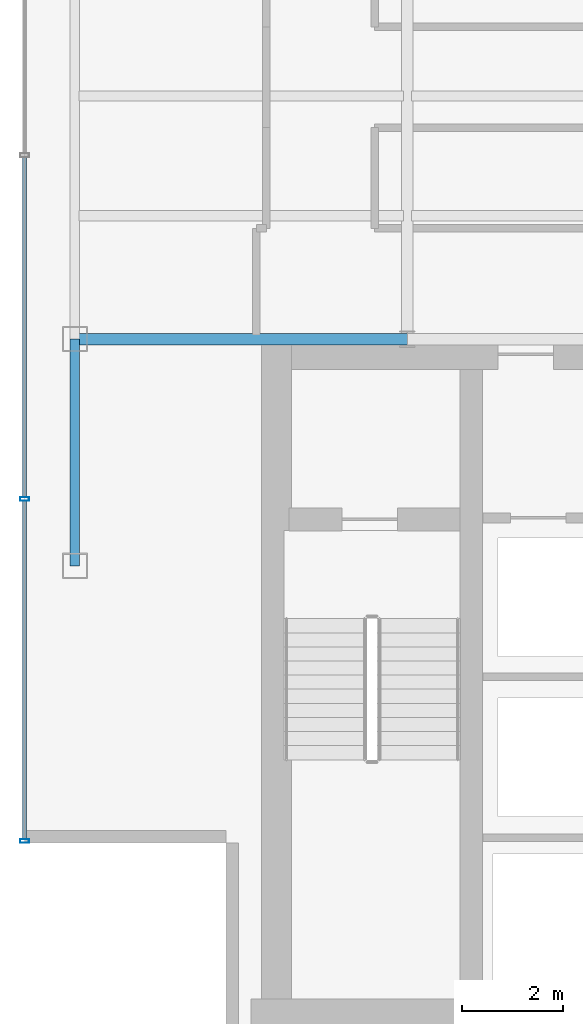
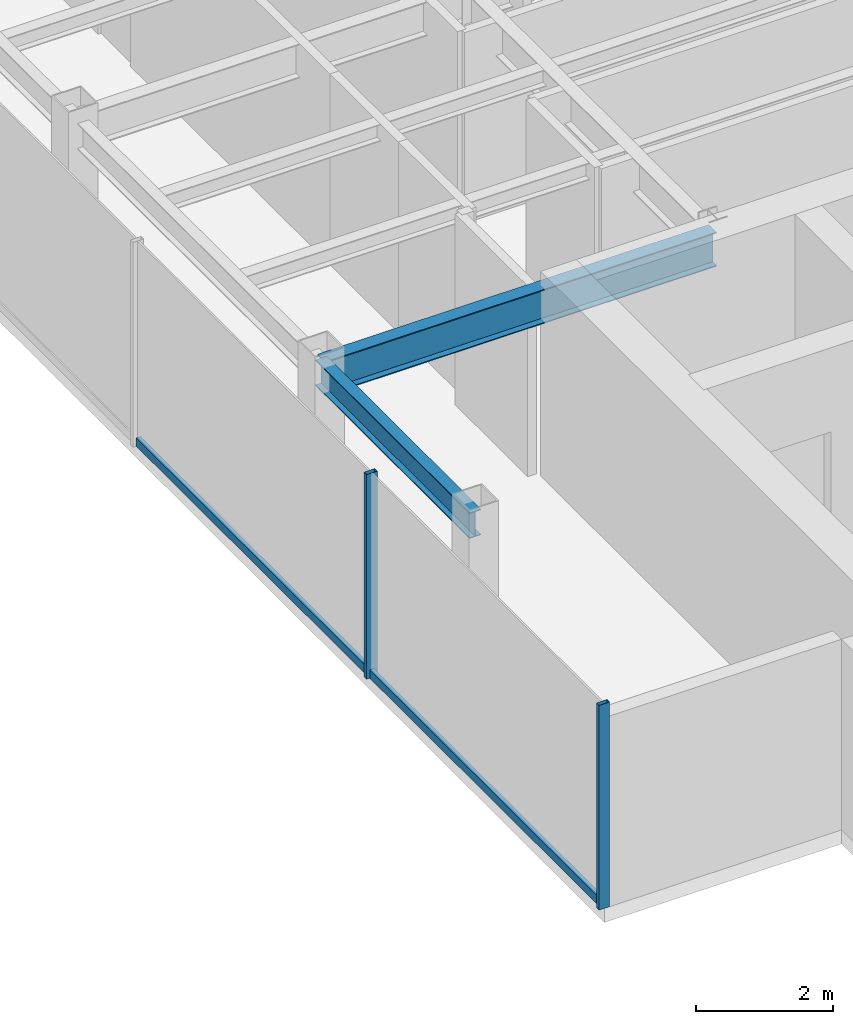
# One storey, part 3 of 22: 4 members, 2 beams, 1 element without a shape of its own.
"""IFC4 building model written with IfcOpenShell, lengths in metres."""

from ifc_helpers import new_model, si_unit, derived_unit, direction, frame, origin, origin_2d, place, context, subcontext, project, spatial, hollow_rectangle, i_section, extrude, source, transform, mapped, material, material_profile, profile_set, type_object, element, aggregate, save


model = new_model("IFC4")

# Units and contexts
model_context = context("Model", 3, precision=1e-05, world=origin(), true_north=direction((0.0, 1.0)))
body_context = subcontext(model_context, "Body", "Model", "MODEL_VIEW")
ifc_project = project(units=[si_unit("LENGTHUNIT", "METRE"), si_unit("AREAUNIT", "SQUARE_METRE"), si_unit("VOLUMEUNIT", "CUBIC_METRE"), si_unit("PLANEANGLEUNIT", "RADIAN"), si_unit("MASSUNIT", "GRAM", prefix="KILO"), derived_unit("THERMALTRANSMITTANCEUNIT", [(si_unit("POWERUNIT", "WATT"), 1), (si_unit("LENGTHUNIT", "METRE"), -2), (si_unit("THERMODYNAMICTEMPERATUREUNIT", "KELVIN"), -1)])], contexts=[model_context])

# Site, building, storey
site_placement = place(None, origin())
site = spatial("IfcSite", under=ifc_project, at=site_placement, CompositionType="ELEMENT")
building_placement = place(site_placement, origin())
building = spatial("IfcBuilding", under=site, at=building_placement, Name="Skarnbrae Concourse Arena and Tower", CompositionType="ELEMENT")
storey_placement = place(building_placement, frame((0.0, 0.0, 284.35009765625)))
storey = spatial("IfcBuildingStorey", under=building, at=storey_placement, Name="L74", CompositionType="ELEMENT", Elevation=284.35009765625)

# Beams
ifc_material_1 = material(Name="Steel CSA G40.21 350W", Category="steel")
ifc_material_profile_1 = material_profile(ifc_material_1, i_section(OverallWidth=0.22802734375, OverallDepth=0.60791015625, WebThickness=0.01123046875, FlangeThickness=0.017333984375, at=origin_2d()), Name="W610X113")
ifc_profile_set_1 = profile_set([ifc_material_profile_1], Name="Steel CSA G40.21 350W")
beam_type_1 = type_object("IfcBeamType", Name="BM-GIRD-W610X113", PredefinedType="BEAM", material=ifc_profile_set_1)
shared_shape_1 = source(origin(), body_context, "Body", "SweptSolid", [
    extrude(i_section(OverallWidth=0.22802734375, OverallDepth=0.60791015625, WebThickness=0.01123046875, FlangeThickness=0.017333984375, at=origin_2d()), origin(), (0.0, 0.0, 1.0), 6.60009765625),
])
beam_1_placement = place(storey_placement, frame((1.0, 14.0, 3.095947265625), z_axis=(1.0, 0.0, 0.0), x_axis=(0.0, 1.0, 0.0)))
element("IfcBeam", 1, at=beam_1_placement, inside=storey, type_object=beam_type_1, Name="L74 Primary E-W girder Y14.0-1", PredefinedType="BEAM", context=body_context, shape_type="MappedRepresentation", body=[
    mapped(shared_shape_1, transform((0.0, 0.0, 0.0))),
])
ifc_material_profile_2 = material_profile(ifc_material_1, i_section(OverallWidth=0.19091796875, OverallDepth=0.4599609375, WebThickness=0.010009765625, FlangeThickness=0.01611328125, at=origin_2d()), Name="W460X82")
ifc_profile_set_2 = profile_set([ifc_material_profile_2], Name="Steel CSA G40.21 350W")
beam_type_2 = type_object("IfcBeamType", Name="BM-SPAN-W460X82", PredefinedType="SPANDREL", material=ifc_profile_set_2)
shared_shape_2 = source(origin(), body_context, "Body", "SweptSolid", [
    extrude(i_section(OverallWidth=0.19091796875, OverallDepth=0.4599609375, WebThickness=0.010009765625, FlangeThickness=0.01611328125, at=origin_2d()), origin(), (0.0, 0.0, 1.0), 4.5),
])
beam_2_placement = place(storey_placement, frame((1.0, 9.5, 3.169921875), z_axis=(0.0, 1.0, 0.0), x_axis=(-1.0, 0.0, 0.0)))
element("IfcBeam", 2, at=beam_2_placement, inside=storey, type_object=beam_type_2, Name="L74 Perimeter spandrel X1.0-1", PredefinedType="SPANDREL", context=body_context, shape_type="MappedRepresentation", body=[
    mapped(shared_shape_2, transform((0.0, 0.0, 0.0))),
])

# Curtain wall, members
ifc_material_2 = material(Name="Bronze anodised aluminium 6063-T6", Category="aluminium")
curtain_wall_type = type_object("IfcCurtainWallType", Name="CW-SYS-05-HIGHZONE", PredefinedType="USERDEFINED", material=ifc_material_2)
curtain_wall_placement = place(storey_placement, origin())
curtain_wall = element("IfcCurtainWall", 3, at=curtain_wall_placement, inside=storey, type_object=curtain_wall_type, Name="L74 Unitised curtain wall CW-L74-E18", ObjectType="UNITISED CURTAIN WALL", PredefinedType="USERDEFINED")
ifc_material_profile_3 = material_profile(ifc_material_2, hollow_rectangle(XDim=0.074951171875, YDim=0.179931640625, WallThickness=0.00390625, at=origin_2d()), Name="ALU-MULL-75X180")
ifc_profile_set_3 = profile_set([ifc_material_profile_3], Name="Bronze anodised aluminium 6063-T6")
member_type_1 = type_object("IfcMemberType", Name="CWM-CW-05", PredefinedType="MULLION", material=ifc_profile_set_3)
shared_shape_3 = source(origin(), body_context, "Body", "SweptSolid", [
    extrude(hollow_rectangle(XDim=0.074951171875, YDim=0.179931640625, WallThickness=0.00390625, at=origin_2d()), origin(), (0.0, 0.0, 1.0), 3.64990234375),
])
member_1_placement = place(storey_placement, frame((0.0, 10.824951171875, 0.0), z_axis=(0.0, 0.0, 1.0), x_axis=(0.0, -1.0, 0.0)))
member_1 = element("IfcMember", 4, at=member_1_placement, type_object=member_type_1, Name="CW-L74-E18 Mullion 4", PredefinedType="MULLION", context=body_context, shape_type="MappedRepresentation", body=[
    mapped(shared_shape_3, transform((0.0, 0.0, 0.0))),
])
member_2_placement = place(storey_placement, frame((0.0, 4.03759765625, 0.0), z_axis=(0.0, 0.0, 1.0), x_axis=(0.0, -1.0, 0.0)))
member_2 = element("IfcMember", 5, at=member_2_placement, type_object=member_type_1, Name="CW-L74-E18 Mullion 5", PredefinedType="MULLION", context=body_context, shape_type="MappedRepresentation", body=[
    mapped(shared_shape_3, transform((0.0, 0.0, 0.0))),
])
ifc_material_profile_4 = material_profile(ifc_material_2, hollow_rectangle(XDim=0.074951171875, YDim=0.14990234375, WallThickness=0.00390625, at=origin_2d()), Name="ALU-TRAN-75X150")
ifc_profile_set_4 = profile_set([ifc_material_profile_4], Name="Bronze anodised aluminium 6063-T6")
member_type_2 = type_object("IfcMemberType", Name="CWT-CW-05", PredefinedType="USERDEFINED", material=ifc_profile_set_4)
shared_shape_4 = source(origin(), body_context, "Body", "SweptSolid", [
    extrude(hollow_rectangle(XDim=0.074951171875, YDim=0.14990234375, WallThickness=0.00390625, at=origin_2d()), origin(), (0.0, 0.0, 1.0), 6.712646484375),
])
member_3_placement = place(storey_placement, frame((0.0, 10.78759765625, 0.074951171875), z_axis=(0.0, -1.0, 0.0), x_axis=(1.0, 0.0, 0.0)))
member_3 = element("IfcMember", 6, at=member_3_placement, type_object=member_type_2, Name="CW-L74-E18 Transom 4", ObjectType="TRANSOM", PredefinedType="USERDEFINED", context=body_context, shape_type="MappedRepresentation", body=[
    mapped(shared_shape_4, transform((0.0, 0.0, 0.0))),
])
shared_shape_5 = source(origin(), body_context, "Body", "SweptSolid", [
    extrude(hollow_rectangle(XDim=0.074951171875, YDim=0.14990234375, WallThickness=0.00390625, at=origin_2d()), origin(), (0.0, 0.0, 1.0), 6.75),
])
member_4_placement = place(storey_placement, frame((0.0, 17.612548828125, 0.074951171875), z_axis=(0.0, -1.0, 0.0), x_axis=(1.0, 0.0, 0.0)))
member_4 = element("IfcMember", 7, at=member_4_placement, type_object=member_type_2, Name="CW-L74-E18 Transom 3", ObjectType="TRANSOM", PredefinedType="USERDEFINED", context=body_context, shape_type="MappedRepresentation", body=[
    mapped(shared_shape_5, transform((0.0, 0.0, 0.0))),
])
aggregate(curtain_wall, [member_1, member_2, member_4, member_3])

save(model, "model.ifc")
